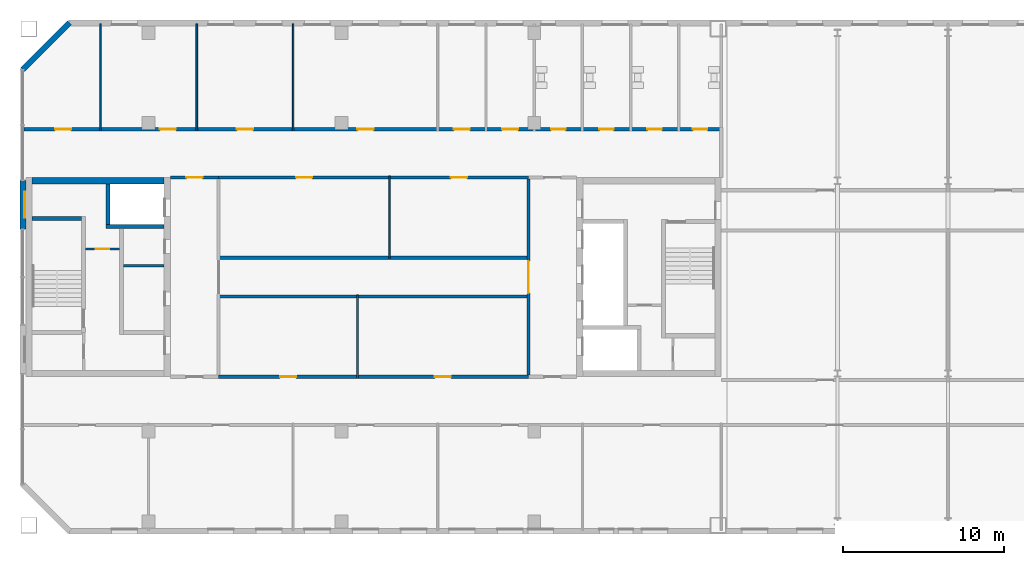
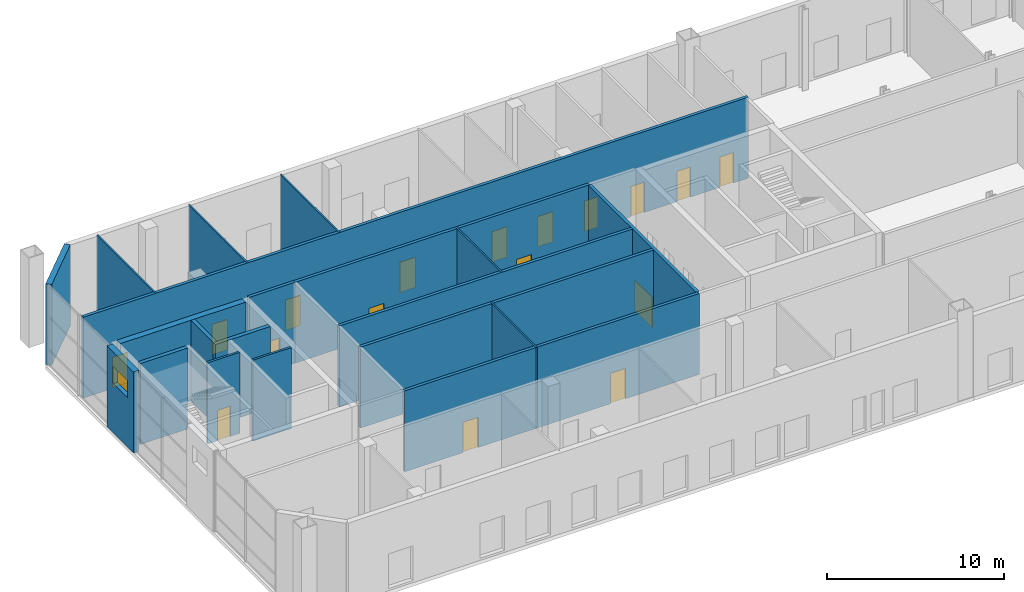
# One storey, part 9 of 20: 20 walls, 17 doors, 1 window, 18 openings.
"""IFC4 building model written with IfcOpenShell, lengths in metres."""

from ifc_helpers import new_model, si_unit, direction, frame, frame_2d, origin, place, context, subcontext, project, spatial, rectangle, extrude, material, layer, layer_set, type_object, element, fill, save


model = new_model("IFC4")

# Units and contexts
model_context = context("Model", 3, precision=1e-05, world=origin(), true_north=direction((0.0, 1.0)))
body_context = subcontext(model_context, "Body", "Model", "MODEL_VIEW")
ifc_project = project(units=[si_unit("LENGTHUNIT", "METRE"), si_unit("AREAUNIT", "SQUARE_METRE"), si_unit("VOLUMEUNIT", "CUBIC_METRE"), si_unit("PLANEANGLEUNIT", "RADIAN"), si_unit("MASSUNIT", "GRAM", prefix="KILO")], contexts=[model_context])

# Site, building, storey
site_placement = place(None, origin())
site = spatial("IfcSite", under=ifc_project, at=site_placement, CompositionType="ELEMENT")
building_placement = place(site_placement, origin())
building = spatial("IfcBuilding", under=site, at=building_placement, Name="Tuart Gate Housing", CompositionType="ELEMENT")
storey_placement = place(building_placement, frame((0.0, 0.0, 215.199951171875)))
storey = spatial("IfcBuildingStorey", under=building, at=storey_placement, Name="L61", CompositionType="ELEMENT", Elevation=215.199951171875)

# Wall
ifc_material_1 = material(Name="Brick", Category="masonry")
ifc_layer_1 = layer(ifc_material_1, 0.360107421875)
ifc_layer_set_1 = layer_set([ifc_layer_1], Name="Brick pier and spandrel wall 360")
wall_type_1 = type_object("IfcWallType", Name="Brick pier and spandrel wall 360", PredefinedType="STANDARD", material=ifc_layer_set_1)
wall_1_placement = place(storey_placement, frame((35.07470703125, 85.820068359375, 0.0), z_axis=(0.0, 0.0, 1.0), x_axis=(-0.707106781187, -0.707106781187, 0.0)))
element("IfcWall", 1, at=wall_1_placement, inside=storey, type_object=wall_type_1, Name="External wall BLK-NW L61", PredefinedType="STANDARD", context=body_context, shape_type="SweptSolid", body=[
    extrude(rectangle(XDim=4.09375, YDim=0.360107421875, at=frame_2d((2.046875, 0.0))), origin(), (0.0, 0.0, 1.0), 5.60009765625),
])

# Wall, opening, window
wall_2_placement = place(storey_placement, frame((32.179931640625, 76.0, 0.0), z_axis=(0.0, 0.0, 1.0), x_axis=(0.0, -1.0, 0.0)))
wall_2 = element("IfcWall", 2, at=wall_2_placement, inside=storey, type_object=wall_type_1, Name="External wall BLK-W L61", PredefinedType="STANDARD", context=body_context, shape_type="SweptSolid", body=[
    extrude(rectangle(XDim=3.0, YDim=0.360107421875, at=frame_2d((1.5, 0.0))), origin(), (0.0, 0.0, 1.0), 5.60009765625),
])
opening_1_placement = place(wall_2_placement, frame((0.699951171875, 0.0, 3.39990234375)))
opening_1 = element("IfcOpeningElement", 3, at=opening_1_placement, cuts=wall_2, Name="Opening W3", PredefinedType="OPENING", context=body_context, shape_type="SweptSolid", body=[
    extrude(rectangle(XDim=1.60009765625, YDim=1.199951171875, at=frame_2d((0.800048828125, 0.60009765625))), frame((0.0, 0.18994140625, 0.0), z_axis=(0.0, -1.0, 0.0), x_axis=(1.0, 0.0, 0.0)), (0.0, 0.0, 1.0), 0.380126953125),
])
ifc_material_2 = material(Name="Aluminium louvre blades", Category="aluminium")
window_type = type_object("IfcWindowType", Name="Louvre window 1600 x 1200", PartitioningType="DOUBLE_PANEL_HORIZONTAL", PredefinedType="WINDOW", material=ifc_material_2)
window_placement = place(opening_1_placement, origin())
window = element("IfcWindow", 4, at=window_placement, inside=storey, type_object=window_type, Name="Louvre W3", OverallHeight=1.199951171875, OverallWidth=1.60009765625, PartitioningType="DOUBLE_PANEL_HORIZONTAL", PredefinedType="WINDOW", context=body_context, shape_type="SweptSolid", body=[
    extrude(rectangle(XDim=1.60009765625, YDim=1.199951171875, at=frame_2d((0.800048828125, 0.60009765625))), frame((0.0, 0.150146484375, 0.0), z_axis=(0.0, -1.0, 0.0), x_axis=(1.0, 0.0, 0.0)), (0.0, 0.0, 1.0), 0.06005859375),
])
fill(opening_1, window)

# Wall, opening, door
ifc_material_3 = material(Name="Plasterboard partition")
ifc_layer_2 = layer(ifc_material_3, 0.14990234375)
ifc_layer_set_2 = layer_set([ifc_layer_2], Name="Core partition 150")
wall_type_2 = type_object("IfcWallType", Name="Core partition 150", PredefinedType="PARTITIONING", material=ifc_layer_set_2)
wall_3_placement = place(storey_placement, frame((38.18505859375, 71.75, 0.0), z_axis=(0.0, 0.0, 1.0), x_axis=(-1.0, 0.0, 0.0)))
wall_3 = element("IfcWall", 5, at=wall_3_placement, inside=storey, type_object=wall_type_2, Name="Core partition AK.3", PredefinedType="PARTITIONING", context=body_context, shape_type="SweptSolid", body=[
    extrude(rectangle(XDim=2.10009765625, YDim=0.14990234375, at=frame_2d((1.050048828125, 0.0))), origin(), (0.0, 0.0, 1.0), 5.60009765625),
])
opening_2_placement = place(wall_3_placement, frame((0.625, 0.0, 0.0)))
opening_2 = element("IfcOpeningElement", 6, at=opening_2_placement, cuts=wall_3, Name="Opening D3017", PredefinedType="OPENING", context=body_context, shape_type="SweptSolid", body=[
    extrude(rectangle(XDim=0.85009765625, YDim=2.10009765625, at=frame_2d((0.425048828125, 1.050048828125))), frame((0.0, 0.0849609375, 0.0), z_axis=(0.0, -1.0, 0.0), x_axis=(1.0, 0.0, 0.0)), (0.0, 0.0, 1.0), 0.169921875),
])
ifc_material_4 = material(Name="Steel fire door", Category="steel")
door_type_1 = type_object("IfcDoorType", Name="Riser door 850 x 2100 RH", OperationType="SINGLE_SWING_RIGHT", PredefinedType="DOOR", material=ifc_material_4)
door_1_placement = place(opening_2_placement, frame((0.85009765625, 0.0, 0.0), z_axis=(0.0, 0.0, 1.0), x_axis=(-1.0, 0.0, 0.0)))
door_1 = element("IfcDoor", 7, at=door_1_placement, inside=storey, type_object=door_type_1, Name="Service room door AK.E1", OperationType="SINGLE_SWING_RIGHT", OverallHeight=2.10009765625, OverallWidth=0.85009765625, PredefinedType="DOOR", context=body_context, shape_type="SweptSolid", body=[
    extrude(rectangle(XDim=0.85009765625, YDim=2.10009765625, at=frame_2d((0.425048828125, 1.050048828125))), frame((0.0, 0.025146484375, 0.0), z_axis=(0.0, -1.0, 0.0), x_axis=(1.0, 0.0, 0.0)), (0.0, 0.0, 1.0), 0.050048828125),
])
fill(opening_2, door_1)

# Walls
wall_4_placement = place(storey_placement, frame((40.9599609375, 70.699951171875, 0.0), z_axis=(0.0, 0.0, 1.0), x_axis=(-1.0, 0.0, 0.0)))
element("IfcWall", 8, at=wall_4_placement, inside=storey, type_object=wall_type_2, Name="Core partition AK.4", PredefinedType="PARTITIONING", context=body_context, shape_type="SweptSolid", body=[
    extrude(rectangle(XDim=2.52490234375, YDim=0.14990234375, at=frame_2d((1.262451171875, 0.0))), origin(), (0.0, 0.0, 1.0), 5.60009765625),
])
ifc_material_5 = material(Name="Concrete C40", Category="concrete")
ifc_layer_3 = layer(ifc_material_5, 0.25)
ifc_layer_set_3 = layer_set([ifc_layer_3], Name="Core wall 250 C40")
wall_type_3 = type_object("IfcWallType", Name="Core wall 250 C40", PredefinedType="SHEAR", material=ifc_layer_set_3)
wall_5_placement = place(storey_placement, frame((35.8349609375, 73.64990234375, 0.0), z_axis=(0.0, 0.0, 1.0), x_axis=(-1.0, 0.0, 0.0)))
element("IfcWall", 9, at=wall_5_placement, inside=storey, type_object=wall_type_3, Name="Core wall AK.1", PredefinedType="SHEAR", context=body_context, shape_type="SweptSolid", body=[
    extrude(rectangle(XDim=3.074951171875, YDim=0.25, at=frame_2d((1.53759765625, 0.0))), origin(), (0.0, 0.0, 1.0), 5.60009765625),
])
wall_6_placement = place(storey_placement, frame((40.9599609375, 73.14990234375, 0.0), z_axis=(0.0, 0.0, 1.0), x_axis=(-1.0, 0.0, 0.0)))
element("IfcWall", 10, at=wall_6_placement, inside=storey, type_object=wall_type_3, Name="Core wall AK.2", PredefinedType="SHEAR", context=body_context, shape_type="SweptSolid", body=[
    extrude(rectangle(XDim=3.594970703125, YDim=0.25, at=frame_2d((1.79736328125, 0.0))), origin(), (0.0, 0.0, 1.0), 5.60009765625),
])
wall_7_placement = place(storey_placement, frame((37.489990234375, 75.800048828125, 0.0), z_axis=(0.0, 0.0, 1.0), x_axis=(0.0, -1.0, 0.0)))
element("IfcWall", 11, at=wall_7_placement, inside=storey, type_object=wall_type_3, Name="Core wall AK.8", PredefinedType="SHEAR", context=body_context, shape_type="SweptSolid", body=[
    extrude(rectangle(XDim=2.525146484375, YDim=0.25, at=frame_2d((1.2626953125, 0.0))), origin(), (0.0, 0.0, 1.0), 5.60009765625),
])
ifc_material_6 = material(Name="Concrete C40", Category="concrete")
ifc_layer_4 = layer(ifc_material_6, 0.39990234375)
ifc_layer_set_4 = layer_set([ifc_layer_4], Name="Core wall 400 C40")
wall_type_4 = type_object("IfcWallType", Name="Core wall 400 C40", PredefinedType="SHEAR", material=ifc_layer_set_4)
wall_8_placement = place(storey_placement, frame((40.9599609375, 76.0, 0.0), z_axis=(0.0, 0.0, 1.0), x_axis=(-1.0, 0.0, 0.0)))
element("IfcWall", 12, at=wall_8_placement, inside=storey, type_object=wall_type_4, Name="Core wall AK south", PredefinedType="SHEAR", context=body_context, shape_type="SweptSolid", body=[
    extrude(rectangle(XDim=8.199951171875, YDim=0.39990234375, at=frame_2d((4.10009765625, 0.0))), origin(), (0.0, 0.0, 1.0), 5.60009765625),
])

# Wall, openings, doors
ifc_material_7 = material(Name="Concrete masonry 15 MPa", Category="masonry")
ifc_layer_5 = layer(ifc_material_7, 0.199951171875)
ifc_layer_set_5 = layer_set([ifc_layer_5], Name="Corridor wall masonry 200")
wall_type_5 = type_object("IfcWallType", Name="Corridor wall masonry 200", PredefinedType="PARTITIONING", material=ifc_layer_set_5)
wall_9_placement = place(storey_placement, frame((44.360107421875, 63.800048828125, 0.0), z_axis=(0.0, 0.0, 1.0), x_axis=(1.0, 0.0, 0.0)))
wall_9 = element("IfcWall", 13, at=wall_9_placement, inside=storey, type_object=wall_type_5, Name="Corridor wall masonry 200", PredefinedType="PARTITIONING", context=body_context, shape_type="SweptSolid", body=[
    extrude(rectangle(XDim=19.27978515625, YDim=0.199951171875, at=frame_2d((9.639892578125, 0.0))), origin(), (0.0, 0.0, 1.0), 5.60009765625),
])
opening_3_placement = place(wall_9_placement, frame((3.820068359375, 0.0, 0.0)))
opening_3 = element("IfcOpeningElement", 14, at=opening_3_placement, cuts=wall_9, Name="Opening D3030", PredefinedType="OPENING", context=body_context, shape_type="SweptSolid", body=[
    extrude(rectangle(XDim=1.0, YDim=2.10009765625, at=frame_2d((0.5, 1.050048828125))), frame((0.0, 0.10986328125, 0.0), z_axis=(0.0, -1.0, 0.0), x_axis=(1.0, 0.0, 0.0)), (0.0, 0.0, 1.0), 0.219970703125),
])
opening_4_placement = place(wall_9_placement, frame((13.4599609375, 0.0, 0.0)))
opening_4 = element("IfcOpeningElement", 15, at=opening_4_placement, cuts=wall_9, Name="Opening D3031", PredefinedType="OPENING", context=body_context, shape_type="SweptSolid", body=[
    extrude(rectangle(XDim=1.0, YDim=2.10009765625, at=frame_2d((0.5, 1.050048828125))), frame((0.0, 0.10986328125, 0.0), z_axis=(0.0, -1.0, 0.0), x_axis=(1.0, 0.0, 0.0)), (0.0, 0.0, 1.0), 0.219970703125),
])
ifc_material_8 = material(Name="Timber door leaf in steel frame", Category="steel")
door_type_2 = type_object("IfcDoorType", Name="Fire door 1000", OperationType="SINGLE_SWING_LEFT", PredefinedType="DOOR", material=ifc_material_8)
door_2_placement = place(opening_3_placement, origin())
door_2 = element("IfcDoor", 16, at=door_2_placement, inside=storey, type_object=door_type_2, Name="Fire door 1000", OperationType="SINGLE_SWING_LEFT", OverallHeight=2.10009765625, OverallWidth=1.0, PredefinedType="DOOR", context=body_context, shape_type="SweptSolid", body=[
    extrude(rectangle(XDim=1.0, YDim=2.10009765625, at=frame_2d((0.5, 1.050048828125))), frame((0.0, 0.02490234375, 0.0), z_axis=(0.0, -1.0, 0.0), x_axis=(1.0, 0.0, 0.0)), (0.0, 0.0, 1.0), 0.050048828125),
])
fill(opening_3, door_2)
door_3_placement = place(opening_4_placement, origin())
door_3 = element("IfcDoor", 17, at=door_3_placement, inside=storey, type_object=door_type_2, Name="Fire door 1000", OperationType="SINGLE_SWING_LEFT", OverallHeight=2.10009765625, OverallWidth=1.0, PredefinedType="DOOR", context=body_context, shape_type="SweptSolid", body=[
    extrude(rectangle(XDim=1.0, YDim=2.10009765625, at=frame_2d((0.5, 1.050048828125))), frame((0.0, 0.02490234375, 0.0), z_axis=(0.0, -1.0, 0.0), x_axis=(1.0, 0.0, 0.0)), (0.0, 0.0, 1.0), 0.050048828125),
])
fill(opening_4, door_3)

# Walls
for number, where, z_axis, x_axis, name in (
    (18, (44.360107421875, 68.800048828125, 0.0), (0.0, 0.0, 1.0), (1.0, 0.0, 0.0), "Corridor wall masonry 200"),
    (19, (44.360107421875, 71.199951171875, 0.0), (0.0, 0.0, 1.0), (1.0, 0.0, 0.0), "Corridor wall masonry 200"),
):
    element("IfcWall", number, at=place(storey_placement, frame(where, z_axis=z_axis, x_axis=x_axis)), inside=storey, type_object=wall_type_5, Name=name, PredefinedType="PARTITIONING", context=body_context, shape_type="SweptSolid", body=[
        extrude(rectangle(XDim=19.27978515625, YDim=0.199951171875, at=frame_2d((9.639892578125, 0.0))), origin(), (0.0, 0.0, 1.0), 5.60009765625),
    ])

# Wall, openings, doors
wall_10_placement = place(storey_placement, frame((44.360107421875, 76.199951171875, 0.0), z_axis=(0.0, 0.0, 1.0), x_axis=(1.0, 0.0, 0.0)))
wall_10 = element("IfcWall", 20, at=wall_10_placement, inside=storey, type_object=wall_type_5, Name="Corridor wall masonry 200", PredefinedType="PARTITIONING", context=body_context, shape_type="SweptSolid", body=[
    extrude(rectangle(XDim=19.27978515625, YDim=0.199951171875, at=frame_2d((9.639892578125, 0.0))), origin(), (0.0, 0.0, 1.0), 5.60009765625),
])
opening_5_placement = place(wall_10_placement, frame((4.820068359375, 0.0, 0.0)))
opening_5 = element("IfcOpeningElement", 21, at=opening_5_placement, cuts=wall_10, Name="Opening D3013", PredefinedType="OPENING", context=body_context, shape_type="SweptSolid", body=[
    extrude(rectangle(XDim=1.0, YDim=2.10009765625, at=frame_2d((0.5, 1.050048828125))), frame((0.0, 0.10986328125, 0.0), z_axis=(0.0, -1.0, 0.0), x_axis=(1.0, 0.0, 0.0)), (0.0, 0.0, 1.0), 0.219970703125),
])
opening_6_placement = place(wall_10_placement, frame((14.4599609375, 0.0, 0.0)))
opening_6 = element("IfcOpeningElement", 22, at=opening_6_placement, cuts=wall_10, Name="Opening D3014", PredefinedType="OPENING", context=body_context, shape_type="SweptSolid", body=[
    extrude(rectangle(XDim=1.0, YDim=2.10009765625, at=frame_2d((0.5, 1.050048828125))), frame((0.0, 0.10986328125, 0.0), z_axis=(0.0, -1.0, 0.0), x_axis=(1.0, 0.0, 0.0)), (0.0, 0.0, 1.0), 0.219970703125),
])
ifc_material_9 = material(Name="Timber door leaf in steel frame", Category="steel")
door_type_3 = type_object("IfcDoorType", Name="Fire door 1000 RH", OperationType="SINGLE_SWING_RIGHT", PredefinedType="DOOR", material=ifc_material_9)
door_4_placement = place(opening_5_placement, frame((1.0, 0.0, 0.0), z_axis=(0.0, 0.0, 1.0), x_axis=(-1.0, 0.0, 0.0)))
door_4 = element("IfcDoor", 23, at=door_4_placement, inside=storey, type_object=door_type_3, Name="Fire door 1000", OperationType="SINGLE_SWING_RIGHT", OverallHeight=2.10009765625, OverallWidth=1.0, PredefinedType="DOOR", context=body_context, shape_type="SweptSolid", body=[
    extrude(rectangle(XDim=1.0, YDim=2.10009765625, at=frame_2d((0.5, 1.050048828125))), frame((0.0, 0.025146484375, 0.0), z_axis=(0.0, -1.0, 0.0), x_axis=(1.0, 0.0, 0.0)), (0.0, 0.0, 1.0), 0.050048828125),
])
fill(opening_5, door_4)
door_5_placement = place(opening_6_placement, frame((1.0, 0.0, 0.0), z_axis=(0.0, 0.0, 1.0), x_axis=(-1.0, 0.0, 0.0)))
door_5 = element("IfcDoor", 24, at=door_5_placement, inside=storey, type_object=door_type_3, Name="Fire door 1000", OperationType="SINGLE_SWING_RIGHT", OverallHeight=2.10009765625, OverallWidth=1.0, PredefinedType="DOOR", context=body_context, shape_type="SweptSolid", body=[
    extrude(rectangle(XDim=1.0, YDim=2.10009765625, at=frame_2d((0.5, 1.050048828125))), frame((0.0, 0.025146484375, 0.0), z_axis=(0.0, -1.0, 0.0), x_axis=(1.0, 0.0, 0.0)), (0.0, 0.0, 1.0), 0.050048828125),
])
fill(opening_6, door_5)

wall_11_placement = place(storey_placement, frame((32.239990234375, 79.199951171875, 0.0), z_axis=(0.0, 0.0, 1.0), x_axis=(1.0, 0.0, 0.0)))
wall_11 = element("IfcWall", 25, at=wall_11_placement, inside=storey, type_object=wall_type_5, Name="Corridor wall masonry 200", PredefinedType="PARTITIONING", context=body_context, shape_type="SweptSolid", body=[
    extrude(rectangle(XDim=43.5, YDim=0.199951171875, at=frame_2d((21.75, 0.0))), origin(), (0.0, 0.0, 1.0), 5.60009765625),
])
opening_7_placement = place(wall_11_placement, frame((1.93994140625, 0.0, 0.0)))
opening_7 = element("IfcOpeningElement", 26, at=opening_7_placement, cuts=wall_11, Name="Opening D3002", PredefinedType="OPENING", context=body_context, shape_type="SweptSolid", body=[
    extrude(rectangle(XDim=1.0, YDim=2.10009765625, at=frame_2d((0.5, 1.050048828125))), frame((0.0, 0.10986328125, 0.0), z_axis=(0.0, -1.0, 0.0), x_axis=(1.0, 0.0, 0.0)), (0.0, 0.0, 1.0), 0.219970703125),
])
opening_8_placement = place(wall_11_placement, frame((8.4599609375, 0.0, 0.0)))
opening_8 = element("IfcOpeningElement", 27, at=opening_8_placement, cuts=wall_11, Name="Opening D3003", PredefinedType="OPENING", context=body_context, shape_type="SweptSolid", body=[
    extrude(rectangle(XDim=1.0, YDim=2.10009765625, at=frame_2d((0.5, 1.050048828125))), frame((0.0, 0.10986328125, 0.0), z_axis=(0.0, -1.0, 0.0), x_axis=(1.0, 0.0, 0.0)), (0.0, 0.0, 1.0), 0.219970703125),
])
opening_9_placement = place(wall_11_placement, frame((13.260009765625, 0.0, 0.0)))
opening_9 = element("IfcOpeningElement", 28, at=opening_9_placement, cuts=wall_11, Name="Opening D3004", PredefinedType="OPENING", context=body_context, shape_type="SweptSolid", body=[
    extrude(rectangle(XDim=1.0, YDim=2.10009765625, at=frame_2d((0.5, 1.050048828125))), frame((0.0, 0.10986328125, 0.0), z_axis=(0.0, -1.0, 0.0), x_axis=(1.0, 0.0, 0.0)), (0.0, 0.0, 1.0), 0.219970703125),
])
opening_10_placement = place(wall_11_placement, frame((20.760009765625, 0.0, 0.0)))
opening_10 = element("IfcOpeningElement", 29, at=opening_10_placement, cuts=wall_11, Name="Opening D3005", PredefinedType="OPENING", context=body_context, shape_type="SweptSolid", body=[
    extrude(rectangle(XDim=1.0, YDim=2.10009765625, at=frame_2d((0.5, 1.050048828125))), frame((0.0, 0.10986328125, 0.0), z_axis=(0.0, -1.0, 0.0), x_axis=(1.0, 0.0, 0.0)), (0.0, 0.0, 1.0), 0.219970703125),
])
opening_11_placement = place(wall_11_placement, frame((26.760009765625, 0.0, 0.0)))
opening_11 = element("IfcOpeningElement", 30, at=opening_11_placement, cuts=wall_11, Name="Opening D3006", PredefinedType="OPENING", context=body_context, shape_type="SweptSolid", body=[
    extrude(rectangle(XDim=1.0, YDim=2.10009765625, at=frame_2d((0.5, 1.050048828125))), frame((0.0, 0.10986328125, 0.0), z_axis=(0.0, -1.0, 0.0), x_axis=(1.0, 0.0, 0.0)), (0.0, 0.0, 1.0), 0.219970703125),
])
opening_12_placement = place(wall_11_placement, frame((29.760009765625, 0.0, 0.0)))
opening_12 = element("IfcOpeningElement", 31, at=opening_12_placement, cuts=wall_11, Name="Opening D3007", PredefinedType="OPENING", context=body_context, shape_type="SweptSolid", body=[
    extrude(rectangle(XDim=1.0, YDim=2.10009765625, at=frame_2d((0.5, 1.050048828125))), frame((0.0, 0.10986328125, 0.0), z_axis=(0.0, -1.0, 0.0), x_axis=(1.0, 0.0, 0.0)), (0.0, 0.0, 1.0), 0.219970703125),
])
opening_13_placement = place(wall_11_placement, frame((32.81005859375, 0.0, 0.0)))
opening_13 = element("IfcOpeningElement", 32, at=opening_13_placement, cuts=wall_11, Name="Opening D3008", PredefinedType="OPENING", context=body_context, shape_type="SweptSolid", body=[
    extrude(rectangle(XDim=0.89990234375, YDim=2.10009765625, at=frame_2d((0.449951171875, 1.050048828125))), frame((0.0, 0.10986328125, 0.0), z_axis=(0.0, -1.0, 0.0), x_axis=(1.0, 0.0, 0.0)), (0.0, 0.0, 1.0), 0.219970703125),
])
opening_14_placement = place(wall_11_placement, frame((35.81005859375, 0.0, 0.0)))
opening_14 = element("IfcOpeningElement", 33, at=opening_14_placement, cuts=wall_11, Name="Opening D3009", PredefinedType="OPENING", context=body_context, shape_type="SweptSolid", body=[
    extrude(rectangle(XDim=0.89990234375, YDim=2.10009765625, at=frame_2d((0.449951171875, 1.050048828125))), frame((0.0, 0.10986328125, 0.0), z_axis=(0.0, -1.0, 0.0), x_axis=(1.0, 0.0, 0.0)), (0.0, 0.0, 1.0), 0.219970703125),
])
opening_15_placement = place(wall_11_placement, frame((38.81005859375, 0.0, 0.0)))
opening_15 = element("IfcOpeningElement", 34, at=opening_15_placement, cuts=wall_11, Name="Opening D3010", PredefinedType="OPENING", context=body_context, shape_type="SweptSolid", body=[
    extrude(rectangle(XDim=0.89990234375, YDim=2.10009765625, at=frame_2d((0.449951171875, 1.050048828125))), frame((0.0, 0.10986328125, 0.0), z_axis=(0.0, -1.0, 0.0), x_axis=(1.0, 0.0, 0.0)), (0.0, 0.0, 1.0), 0.219970703125),
])
opening_16_placement = place(wall_11_placement, frame((41.6298828125, 0.0, 0.0)))
opening_16 = element("IfcOpeningElement", 35, at=opening_16_placement, cuts=wall_11, Name="Opening D3011", PredefinedType="OPENING", context=body_context, shape_type="SweptSolid", body=[
    extrude(rectangle(XDim=0.89990234375, YDim=2.10009765625, at=frame_2d((0.449951171875, 1.050048828125))), frame((0.0, 0.10986328125, 0.0), z_axis=(0.0, -1.0, 0.0), x_axis=(1.0, 0.0, 0.0)), (0.0, 0.0, 1.0), 0.219970703125),
])
door_6_placement = place(opening_9_placement, origin())
door_6 = element("IfcDoor", 36, at=door_6_placement, inside=storey, type_object=door_type_2, Name="Fire door 1000", OperationType="SINGLE_SWING_LEFT", OverallHeight=2.10009765625, OverallWidth=1.0, PredefinedType="DOOR", context=body_context, shape_type="SweptSolid", body=[
    extrude(rectangle(XDim=1.0, YDim=2.10009765625, at=frame_2d((0.5, 1.050048828125))), frame((0.0, 0.02490234375, 0.0), z_axis=(0.0, -1.0, 0.0), x_axis=(1.0, 0.0, 0.0)), (0.0, 0.0, 1.0), 0.050048828125),
])
fill(opening_9, door_6)
door_7_placement = place(opening_10_placement, origin())
door_7 = element("IfcDoor", 37, at=door_7_placement, inside=storey, type_object=door_type_2, Name="Fire door 1000", OperationType="SINGLE_SWING_LEFT", OverallHeight=2.10009765625, OverallWidth=1.0, PredefinedType="DOOR", context=body_context, shape_type="SweptSolid", body=[
    extrude(rectangle(XDim=1.0, YDim=2.10009765625, at=frame_2d((0.5, 1.050048828125))), frame((0.0, 0.02490234375, 0.0), z_axis=(0.0, -1.0, 0.0), x_axis=(1.0, 0.0, 0.0)), (0.0, 0.0, 1.0), 0.050048828125),
])
fill(opening_10, door_7)
door_8_placement = place(opening_11_placement, origin())
door_8 = element("IfcDoor", 38, at=door_8_placement, inside=storey, type_object=door_type_2, Name="Fire door 1000", OperationType="SINGLE_SWING_LEFT", OverallHeight=2.10009765625, OverallWidth=1.0, PredefinedType="DOOR", context=body_context, shape_type="SweptSolid", body=[
    extrude(rectangle(XDim=1.0, YDim=2.10009765625, at=frame_2d((0.5, 1.050048828125))), frame((0.0, 0.02490234375, 0.0), z_axis=(0.0, -1.0, 0.0), x_axis=(1.0, 0.0, 0.0)), (0.0, 0.0, 1.0), 0.050048828125),
])
fill(opening_11, door_8)
door_9_placement = place(opening_12_placement, origin())
door_9 = element("IfcDoor", 39, at=door_9_placement, inside=storey, type_object=door_type_2, Name="Fire door 1000", OperationType="SINGLE_SWING_LEFT", OverallHeight=2.10009765625, OverallWidth=1.0, PredefinedType="DOOR", context=body_context, shape_type="SweptSolid", body=[
    extrude(rectangle(XDim=1.0, YDim=2.10009765625, at=frame_2d((0.5, 1.050048828125))), frame((0.0, 0.02490234375, 0.0), z_axis=(0.0, -1.0, 0.0), x_axis=(1.0, 0.0, 0.0)), (0.0, 0.0, 1.0), 0.050048828125),
])
fill(opening_12, door_9)
door_10_placement = place(opening_7_placement, origin())
door_10 = element("IfcDoor", 40, at=door_10_placement, inside=storey, type_object=door_type_3, Name="Fire door 1000", OperationType="SINGLE_SWING_RIGHT", OverallHeight=2.10009765625, OverallWidth=1.0, PredefinedType="DOOR", context=body_context, shape_type="SweptSolid", body=[
    extrude(rectangle(XDim=1.0, YDim=2.10009765625, at=frame_2d((0.5, 1.050048828125))), frame((0.0, 0.02490234375, 0.0), z_axis=(0.0, -1.0, 0.0), x_axis=(1.0, 0.0, 0.0)), (0.0, 0.0, 1.0), 0.050048828125),
])
fill(opening_7, door_10)
door_11_placement = place(opening_8_placement, origin())
door_11 = element("IfcDoor", 41, at=door_11_placement, inside=storey, type_object=door_type_3, Name="Fire door 1000", OperationType="SINGLE_SWING_RIGHT", OverallHeight=2.10009765625, OverallWidth=1.0, PredefinedType="DOOR", context=body_context, shape_type="SweptSolid", body=[
    extrude(rectangle(XDim=1.0, YDim=2.10009765625, at=frame_2d((0.5, 1.050048828125))), frame((0.0, 0.02490234375, 0.0), z_axis=(0.0, -1.0, 0.0), x_axis=(1.0, 0.0, 0.0)), (0.0, 0.0, 1.0), 0.050048828125),
])
fill(opening_8, door_11)
ifc_material_10 = material(Name="Timber door leaf in steel frame", Category="steel")
door_type_4 = type_object("IfcDoorType", Name="Fire door 900", OperationType="SINGLE_SWING_LEFT", PredefinedType="DOOR", material=ifc_material_10)
door_12_placement = place(opening_13_placement, origin())
door_12 = element("IfcDoor", 42, at=door_12_placement, inside=storey, type_object=door_type_4, Name="Fire door 900", OperationType="SINGLE_SWING_LEFT", OverallHeight=2.10009765625, OverallWidth=0.89990234375, PredefinedType="DOOR", context=body_context, shape_type="SweptSolid", body=[
    extrude(rectangle(XDim=0.89990234375, YDim=2.10009765625, at=frame_2d((0.449951171875, 1.050048828125))), frame((0.0, 0.02490234375, 0.0), z_axis=(0.0, -1.0, 0.0), x_axis=(1.0, 0.0, 0.0)), (0.0, 0.0, 1.0), 0.050048828125),
])
fill(opening_13, door_12)
door_13_placement = place(opening_14_placement, origin())
door_13 = element("IfcDoor", 43, at=door_13_placement, inside=storey, type_object=door_type_4, Name="Fire door 900", OperationType="SINGLE_SWING_LEFT", OverallHeight=2.10009765625, OverallWidth=0.89990234375, PredefinedType="DOOR", context=body_context, shape_type="SweptSolid", body=[
    extrude(rectangle(XDim=0.89990234375, YDim=2.10009765625, at=frame_2d((0.449951171875, 1.050048828125))), frame((0.0, 0.02490234375, 0.0), z_axis=(0.0, -1.0, 0.0), x_axis=(1.0, 0.0, 0.0)), (0.0, 0.0, 1.0), 0.050048828125),
])
fill(opening_14, door_13)
door_14_placement = place(opening_15_placement, origin())
door_14 = element("IfcDoor", 44, at=door_14_placement, inside=storey, type_object=door_type_4, Name="Fire door 900", OperationType="SINGLE_SWING_LEFT", OverallHeight=2.10009765625, OverallWidth=0.89990234375, PredefinedType="DOOR", context=body_context, shape_type="SweptSolid", body=[
    extrude(rectangle(XDim=0.89990234375, YDim=2.10009765625, at=frame_2d((0.449951171875, 1.050048828125))), frame((0.0, 0.02490234375, 0.0), z_axis=(0.0, -1.0, 0.0), x_axis=(1.0, 0.0, 0.0)), (0.0, 0.0, 1.0), 0.050048828125),
])
fill(opening_15, door_14)
door_15_placement = place(opening_16_placement, origin())
door_15 = element("IfcDoor", 45, at=door_15_placement, inside=storey, type_object=door_type_4, Name="Fire door 900", OperationType="SINGLE_SWING_LEFT", OverallHeight=2.10009765625, OverallWidth=0.89990234375, PredefinedType="DOOR", context=body_context, shape_type="SweptSolid", body=[
    extrude(rectangle(XDim=0.89990234375, YDim=2.10009765625, at=frame_2d((0.449951171875, 1.050048828125))), frame((0.0, 0.02490234375, 0.0), z_axis=(0.0, -1.0, 0.0), x_axis=(1.0, 0.0, 0.0)), (0.0, 0.0, 1.0), 0.050048828125),
])
fill(opening_16, door_15)

# Wall, opening, door
ifc_material_11 = material(Name="Concrete masonry 15 MPa", Category="masonry")
ifc_layer_6 = layer(ifc_material_11, 0.199951171875)
ifc_layer_set_6 = layer_set([ifc_layer_6], Name="Enclosure wall masonry 200")
wall_type_6 = type_object("IfcWallType", Name="Enclosure wall masonry 200", PredefinedType="PARTITIONING", material=ifc_layer_set_6)
wall_12_placement = place(storey_placement, frame((41.360107421875, 76.199951171875, 0.0), z_axis=(0.0, 0.0, 1.0), x_axis=(1.0, 0.0, 0.0)))
wall_12 = element("IfcWall", 46, at=wall_12_placement, inside=storey, type_object=wall_type_6, Name="Enclosure wall masonry 200", PredefinedType="PARTITIONING", context=body_context, shape_type="SweptSolid", body=[
    extrude(rectangle(XDim=3.0, YDim=0.199951171875, at=frame_2d((1.5, 0.0))), origin(), (0.0, 0.0, 1.0), 5.60009765625),
])
opening_17_placement = place(wall_12_placement, frame((1.0, 0.0, 0.0)))
opening_17 = element("IfcOpeningElement", 47, at=opening_17_placement, cuts=wall_12, Name="Opening D3012", PredefinedType="OPENING", context=body_context, shape_type="SweptSolid", body=[
    extrude(rectangle(XDim=1.0, YDim=2.10009765625, at=frame_2d((0.5, 1.050048828125))), frame((0.0, 0.10986328125, 0.0), z_axis=(0.0, -1.0, 0.0), x_axis=(1.0, 0.0, 0.0)), (0.0, 0.0, 1.0), 0.219970703125),
])
ifc_material_12 = material(Name="Timber door leaf in steel frame", Category="steel")
door_type_5 = type_object("IfcDoorType", Name="Lobby door 1000", OperationType="SINGLE_SWING_LEFT", PredefinedType="DOOR", material=ifc_material_12)
door_16_placement = place(opening_17_placement, frame((1.0, 0.0, 0.0), z_axis=(0.0, 0.0, 1.0), x_axis=(-1.0, 0.0, 0.0)))
door_16 = element("IfcDoor", 48, at=door_16_placement, inside=storey, type_object=door_type_5, Name="Lobby door 1000", OperationType="SINGLE_SWING_LEFT", OverallHeight=2.10009765625, OverallWidth=1.0, PredefinedType="DOOR", context=body_context, shape_type="SweptSolid", body=[
    extrude(rectangle(XDim=1.0, YDim=2.10009765625, at=frame_2d((0.5, 1.050048828125))), frame((0.0, 0.025146484375, 0.0), z_axis=(0.0, -1.0, 0.0), x_axis=(1.0, 0.0, 0.0)), (0.0, 0.0, 1.0), 0.050048828125),
])
fill(opening_17, door_16)

ifc_material_13 = material(Name="Plasterboard partition")
ifc_layer_7 = layer(ifc_material_13, 0.199951171875)
ifc_layer_set_7 = layer_set([ifc_layer_7], Name="Lobby wall 200")
wall_type_7 = type_object("IfcWallType", Name="Lobby wall 200", PredefinedType="PARTITIONING", material=ifc_layer_set_7)
wall_13_placement = place(storey_placement, frame((63.639892578125, 63.89990234375, 0.0), z_axis=(0.0, 0.0, 1.0), x_axis=(0.0, 1.0, 0.0)))
wall_13 = element("IfcWall", 49, at=wall_13_placement, inside=storey, type_object=wall_type_7, Name="Lift lobby wall AG", PredefinedType="PARTITIONING", context=body_context, shape_type="SweptSolid", body=[
    extrude(rectangle(XDim=12.2001953125, YDim=0.199951171875, at=frame_2d((6.10009765625, 0.0))), origin(), (0.0, 0.0, 1.0), 5.60009765625),
])
opening_18_placement = place(wall_13_placement, frame((5.10009765625, 0.0, 0.0)))
opening_18 = element("IfcOpeningElement", 50, at=opening_18_placement, cuts=wall_13, Name="Opening D3023", PredefinedType="OPENING", context=body_context, shape_type="SweptSolid", body=[
    extrude(rectangle(XDim=2.0, YDim=2.10009765625, at=frame_2d((1.0, 1.050048828125))), frame((0.0, 0.10986328125, 0.0), z_axis=(0.0, -1.0, 0.0), x_axis=(1.0, 0.0, 0.0)), (0.0, 0.0, 1.0), 0.219970703125),
])
ifc_material_14 = material(Name="Steel fire door", Category="steel")
door_type_6 = type_object("IfcDoorType", Name="Smoke door 2000 x 2100", OperationType="DOUBLE_DOOR_SINGLE_SWING", PredefinedType="DOOR", material=ifc_material_14)
door_17_placement = place(opening_18_placement, frame((2.0, 0.0, 0.0), z_axis=(0.0, 0.0, 1.0), x_axis=(-1.0, 0.0, 0.0)))
door_17 = element("IfcDoor", 51, at=door_17_placement, inside=storey, type_object=door_type_6, Name="Lift lobby smoke door AG", OperationType="DOUBLE_DOOR_SINGLE_SWING", OverallHeight=2.10009765625, OverallWidth=2.0, PredefinedType="DOOR", context=body_context, shape_type="SweptSolid", body=[
    extrude(rectangle(XDim=2.0, YDim=2.10009765625, at=frame_2d((1.0, 1.050048828125))), frame((0.0, 0.025146484375, 0.0), z_axis=(0.0, -1.0, 0.0), x_axis=(1.0, 0.0, 0.0)), (0.0, 0.0, 1.0), 0.050048828125),
])
fill(opening_18, door_17)

# Walls
ifc_material_15 = material(Name="Gypsum board on steel studs", Category="steel")
ifc_layer_8 = layer(ifc_material_15, 0.10009765625)
ifc_layer_set_8 = layer_set([ifc_layer_8], Name="Partition 100")
wall_type_8 = type_object("IfcWallType", Name="Partition 100", PredefinedType="PARTITIONING", material=ifc_layer_set_8)
for number, where, z_axis, x_axis, name in (
    (52, (37.0, 79.10009765625, 0.0), (0.0, 0.0, 1.0), (0.0, 1.0, 0.0), "Partition 100"),
    (53, (43.0, 79.10009765625, 0.0), (0.0, 0.0, 1.0), (0.0, 1.0, 0.0), "Partition 100"),
    (54, (49.0, 79.10009765625, 0.0), (0.0, 0.0, 1.0), (0.0, 1.0, 0.0), "Partition 100"),
):
    element("IfcWall", number, at=place(storey_placement, frame(where, z_axis=z_axis, x_axis=x_axis)), inside=storey, type_object=wall_type_8, Name=name, PredefinedType="PARTITIONING", context=body_context, shape_type="SweptSolid", body=[
        extrude(rectangle(XDim=6.659912109375, YDim=0.10009765625, at=frame_2d((3.330078125, 0.0))), origin(), (0.0, 0.0, 1.0), 5.60009765625),
    ])
for number, where, z_axis, x_axis, name in (
    (55, (53.0, 63.699951171875, 0.0), (0.0, 0.0, 1.0), (0.0, 1.0, 0.0), "Partition 100"),
    (56, (55.0, 71.10009765625, 0.0), (0.0, 0.0, 1.0), (0.0, 1.0, 0.0), "Partition 100"),
):
    element("IfcWall", number, at=place(storey_placement, frame(where, z_axis=z_axis, x_axis=x_axis)), inside=storey, type_object=wall_type_8, Name=name, PredefinedType="PARTITIONING", context=body_context, shape_type="SweptSolid", body=[
        extrude(rectangle(XDim=5.199951171875, YDim=0.10009765625, at=frame_2d((2.60009765625, 0.0))), origin(), (0.0, 0.0, 1.0), 5.60009765625),
    ])

save(model, "model.ifc")
